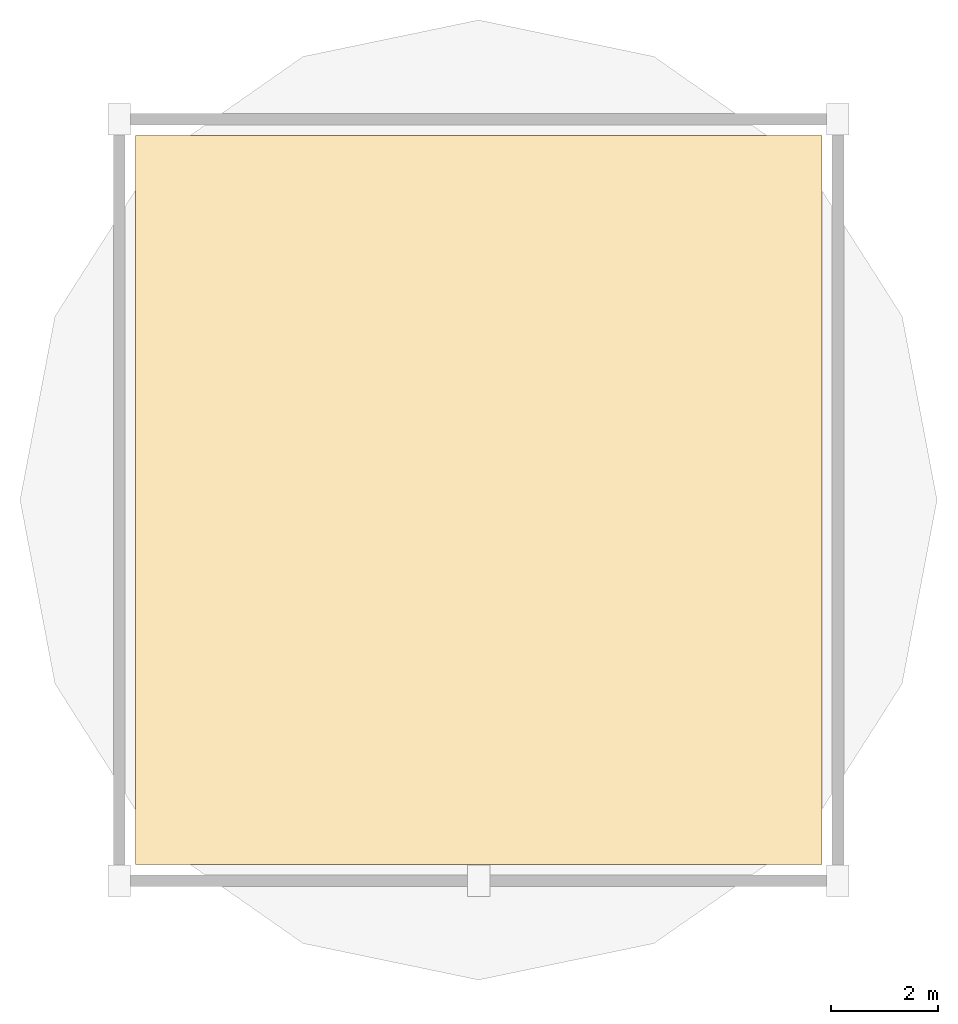
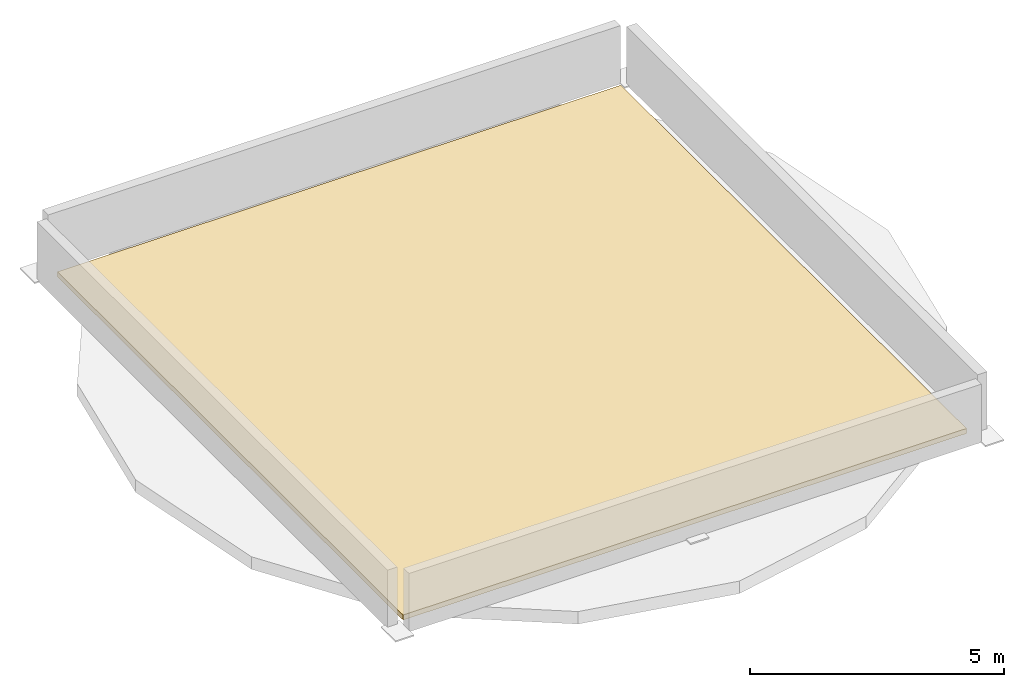
# One storey, part 2 of 2: 1 covering.
"""IFC4 building model written with IfcOpenShell, lengths in metres."""

from ifc_helpers import new_model, si_unit, direction, frame, origin, place, context, subcontext, project, spatial, polyline, outline, extrude, material, layer, layer_set, type_object, element, save


model = new_model("IFC4")

# Units and contexts
model_context = context("Model", 3, precision=1e-05, world=origin(), true_north=direction((0.0, 1.0)))
body_context = subcontext(model_context, "Body", "Model", "MODEL_VIEW")
ifc_project = project(units=[si_unit("LENGTHUNIT", "METRE"), si_unit("AREAUNIT", "SQUARE_METRE"), si_unit("VOLUMEUNIT", "CUBIC_METRE"), si_unit("PLANEANGLEUNIT", "RADIAN"), si_unit("MASSUNIT", "GRAM", prefix="KILO")], contexts=[model_context])

# Site, building, storey
site_placement = place(None, origin())
site = spatial("IfcSite", under=ifc_project, at=site_placement, CompositionType="ELEMENT")
building_placement = place(site_placement, origin())
building = spatial("IfcBuilding", under=site, at=building_placement, Name="Solvaryn Broadcast Tower", CompositionType="ELEMENT")
storey_placement = place(building_placement, frame((0.0, 0.0, 329.39990234375)))
storey = spatial("IfcBuildingStorey", under=building, at=storey_placement, Name="Roof West", CompositionType="ELEMENT", Elevation=329.39990234375)

# Covering
ifc_material = material(Name="Insulated Protected Membrane Roofing", Category="concrete")
ifc_layer = layer(ifc_material, 0.1201171875)
ifc_layer_set = layer_set([ifc_layer], Name="CV-ROOF-MEMB")
covering_type = type_object("IfcCoveringType", Name="CV-ROOF-MEMB", PredefinedType="ROOFING", material=ifc_layer_set)
covering_placement = place(storey_placement, origin())
element("IfcCovering", 1, at=covering_placement, inside=storey, type_object=covering_type, Name="West Peak Insulated Roof Membrane", PredefinedType="ROOFING", context=body_context, shape_type="SweptSolid", body=[
    extrude(outline(polyline([(11.5, 28.5), (24.300048828125, 28.5), (24.300048828125, 42.10009765625), (11.5, 42.10009765625), (11.5, 28.5)])), origin(), (0.0, 0.0, 1.0), 0.1201171875),
])

save(model, "model.ifc")
